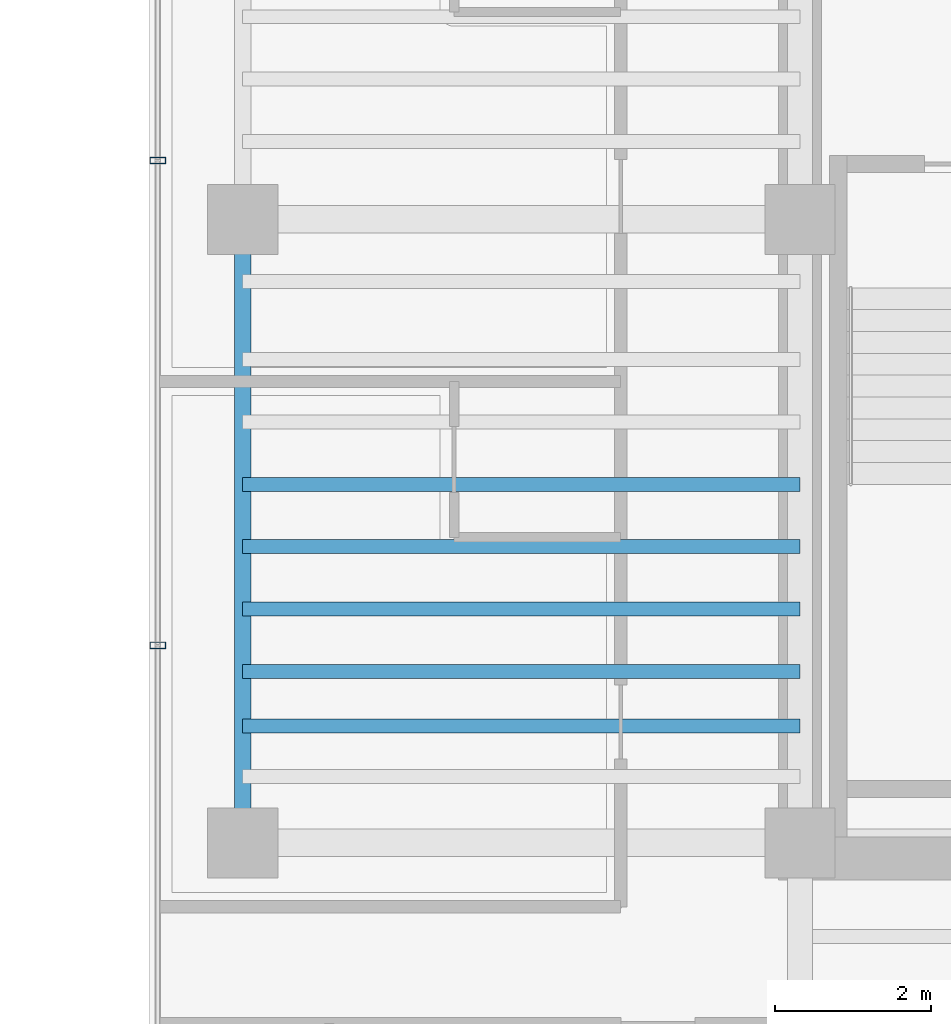
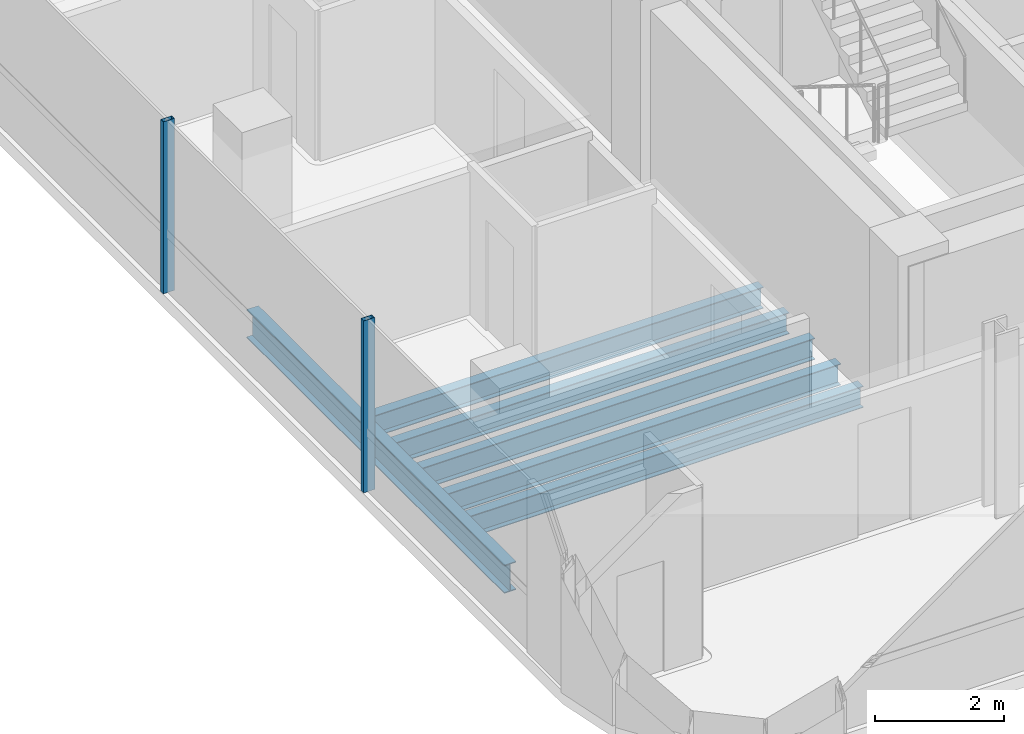
# One storey, part 4 of 23: 6 beams, 2 members, 1 element without a shape of its own.
"""IFC4 building model written with IfcOpenShell, lengths in metres."""

from ifc_helpers import new_model, si_unit, direction, frame, origin, origin_2d, place, context, subcontext, project, spatial, hollow_rectangle, i_section, extrude, source, transform, mapped, material, material_profile, profile_set, type_object, element, aggregate, save


model = new_model("IFC4")

# Units and contexts
model_context = context("Model", 3, precision=1e-05, world=origin(), true_north=direction((0.0, 1.0)))
body_context = subcontext(model_context, "Body", "Model", "MODEL_VIEW")
ifc_project = project(units=[si_unit("LENGTHUNIT", "METRE"), si_unit("AREAUNIT", "SQUARE_METRE"), si_unit("VOLUMEUNIT", "CUBIC_METRE"), si_unit("PLANEANGLEUNIT", "RADIAN"), si_unit("MASSUNIT", "GRAM", prefix="KILO")], contexts=[model_context])

# Site, building, storey
site_placement = place(None, origin())
site = spatial("IfcSite", under=ifc_project, at=site_placement, CompositionType="ELEMENT")
building_placement = place(site_placement, origin())
building = spatial("IfcBuilding", under=site, at=building_placement, Name="Valdorenza Pilgrim Sanctuary Tower", CompositionType="ELEMENT")
storey_placement = place(building_placement, frame((0.0, 0.0, 226.5)))
storey = spatial("IfcBuildingStorey", under=building, at=storey_placement, Name="L58", CompositionType="ELEMENT", Elevation=226.5)

# Beams
ifc_material_1 = material(Name="Steel ASTM A992 Grade 50", Category="steel")
ifc_material_profile_1 = material_profile(ifc_material_1, i_section(OverallWidth=0.2109375, OverallDepth=0.5390625, WebThickness=0.01171875, FlangeThickness=0.018798828125, at=origin_2d()), Name="W21X73")
ifc_profile_set_1 = profile_set([ifc_material_profile_1], Name="Steel ASTM A992 Grade 50")
beam_type_1 = type_object("IfcBeamType", Name="STR-BM-SPN-W21B", PredefinedType="SPANDREL", material=ifc_profile_set_1)
shared_shape_1 = source(origin(), body_context, "Body", "SweptSolid", [
    extrude(i_section(OverallWidth=0.2109375, OverallDepth=0.5390625, WebThickness=0.01171875, FlangeThickness=0.018798828125, at=origin_2d()), origin(), (0.0, 0.0, 1.0), 8.0),
])
beam_placement = place(storey_placement, frame((-29.800048828125, -10.60009765625, -0.509521484375), z_axis=(0.0, 1.0, 0.0), x_axis=(-1.0, 0.0, 0.0)))
element("IfcBeam", 1, at=beam_placement, inside=storey, type_object=beam_type_1, Name="L58 Spandrel Beam WA-W-S1M0", PredefinedType="SPANDREL", context=body_context, shape_type="MappedRepresentation", body=[
    mapped(shared_shape_1, transform((0.0, 0.0, 0.0), x_axis=(1.0, 0.0, 0.0), y_axis=(0.0, 1.0, 0.0), z_axis=(0.0, 0.0, 1.0), scale=1.0)),
])
ifc_material_profile_2 = material_profile(ifc_material_1, i_section(OverallWidth=0.177978515625, OverallDepth=0.406005859375, WebThickness=0.0078125, FlangeThickness=0.0126953125, at=origin_2d()), Name="W16X40")
ifc_profile_set_2 = profile_set([ifc_material_profile_2], Name="Steel ASTM A992 Grade 50")
beam_type_2 = type_object("IfcBeamType", Name="STR-BM-JST-W16", PredefinedType="JOIST", material=ifc_profile_set_2)
shared_shape_2 = source(origin(), body_context, "Body", "SweptSolid", [
    extrude(i_section(OverallWidth=0.177978515625, OverallDepth=0.406005859375, WebThickness=0.0078125, FlangeThickness=0.0126953125, at=origin_2d()), origin(), (0.0, 0.0, 1.0), 7.150146484375),
])
for number, where, z_axis, x_axis, name in (
    (2, (-29.800048828125, -9.10009765625, -0.443115234375), (1.0, 0.0, 0.0), (0.0, 1.0, 0.0), "L58 Composite Floor Joist JST-WA-2"),
    (3, (-29.800048828125, -8.39990234375, -0.443115234375), (1.0, 0.0, 0.0), (0.0, 1.0, 0.0), "L58 Composite Floor Joist JST-WA-3"),
    (4, (-29.800048828125, -7.60009765625, -0.443115234375), (1.0, 0.0, 0.0), (0.0, 1.0, 0.0), "L58 Composite Floor Joist JST-WA-4"),
    (5, (-29.800048828125, -6.800048828125, -0.443115234375), (1.0, 0.0, 0.0), (0.0, 1.0, 0.0), "L58 Composite Floor Joist JST-WA-5"),
    (6, (-29.800048828125, -6.0, -0.443115234375), (1.0, 0.0, 0.0), (0.0, 1.0, 0.0), "L58 Composite Floor Joist JST-WA-6"),
):
    element("IfcBeam", number, at=place(storey_placement, frame(where, z_axis=z_axis, x_axis=x_axis)), inside=storey, type_object=beam_type_2, Name=name, PredefinedType="JOIST", context=body_context, shape_type="MappedRepresentation", body=[
        mapped(shared_shape_2, transform((0.0, 0.0, 0.0), x_axis=(1.0, 0.0, 0.0), y_axis=(0.0, 1.0, 0.0), z_axis=(0.0, 0.0, 1.0), scale=1.0)),
    ])

# Curtain wall, members
ifc_material_2 = material(Name="Curtain-wall IGU glazing", Category="glass")
curtain_wall_type = type_object("IfcCurtainWallType", Name="CW-SYS-02", PredefinedType="NOTDEFINED", material=ifc_material_2)
curtain_wall_placement = place(storey_placement, origin())
curtain_wall = element("IfcCurtainWall", 7, at=curtain_wall_placement, inside=storey, type_object=curtain_wall_type, Name="L58 Curtain Wall CW-L58-1-1S1", PredefinedType="NOTDEFINED")
ifc_material_3 = material(Name="Anodised aluminium AW-6060", Category="aluminium")
ifc_material_profile_3 = material_profile(ifc_material_3, hollow_rectangle(XDim=0.0849609375, YDim=0.199951171875, WallThickness=0.0048828125, at=origin_2d()), Name="ALU-M 200x85x5")
ifc_profile_set_3 = profile_set([ifc_material_profile_3], Name="Anodised aluminium AW-6060")
member_type = type_object("IfcMemberType", Name="CW-MUL-02", PredefinedType="MULLION", material=ifc_profile_set_3)
shared_shape_3 = source(origin(), body_context, "Body", "SweptSolid", [
    extrude(hollow_rectangle(XDim=0.0849609375, YDim=0.199951171875, WallThickness=0.0048828125, at=origin_2d()), origin(), (0.0, 0.0, 1.0), 3.260009765625),
])
member_1_placement = place(storey_placement, frame((-30.889892578125, -8.06689453125, 0.0), z_axis=(0.0, 0.0, 1.0), x_axis=(0.0, 1.0, 0.0)))
member_1 = element("IfcMember", 8, at=member_1_placement, type_object=member_type, Name="CW-L58-1-1S1 Mullion 2", PredefinedType="MULLION", context=body_context, shape_type="MappedRepresentation", body=[
    mapped(shared_shape_3, transform((0.0, 0.0, 0.0), x_axis=(1.0, 0.0, 0.0), y_axis=(0.0, 1.0, 0.0), z_axis=(0.0, 0.0, 1.0), scale=1.0)),
])
member_2_placement = place(storey_placement, frame((-30.889892578125, -1.844482421875, 0.0), z_axis=(0.0, 0.0, 1.0), x_axis=(0.0, 1.0, 0.0)))
member_2 = element("IfcMember", 9, at=member_2_placement, type_object=member_type, Name="CW-L58-1-1S1 Mullion 3", PredefinedType="MULLION", context=body_context, shape_type="MappedRepresentation", body=[
    mapped(shared_shape_3, transform((0.0, 0.0, 0.0), x_axis=(1.0, 0.0, 0.0), y_axis=(0.0, 1.0, 0.0), z_axis=(0.0, 0.0, 1.0), scale=1.0)),
])
aggregate(curtain_wall, [member_1, member_2])

save(model, "model.ifc")
